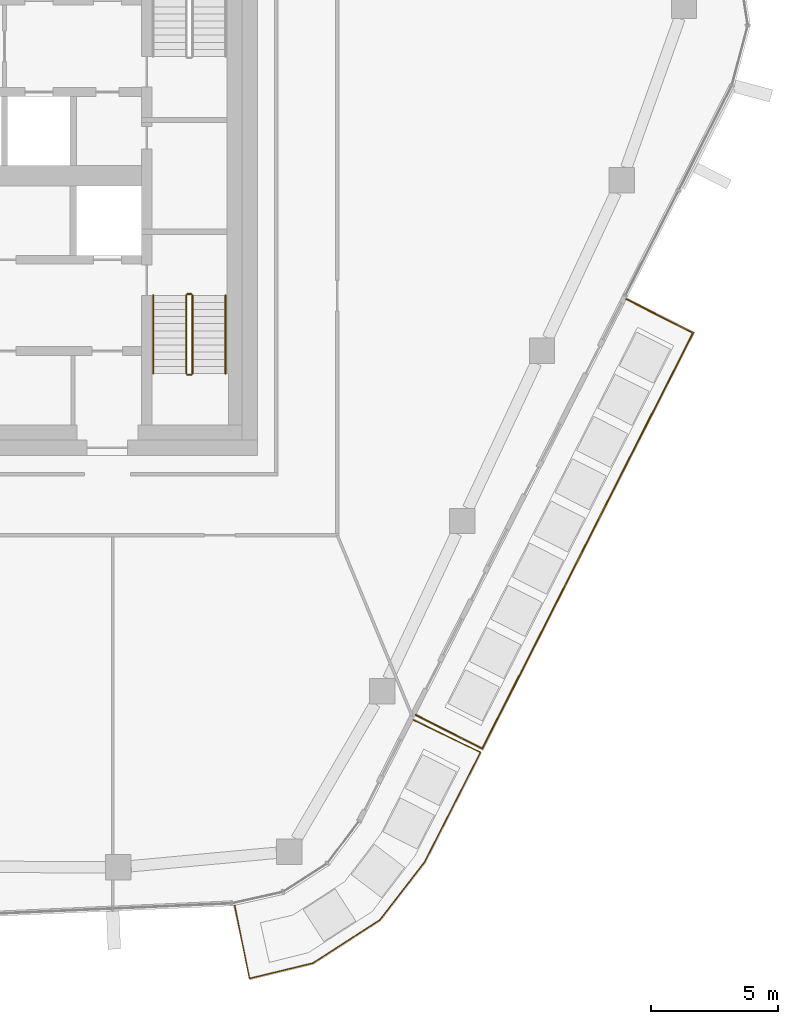
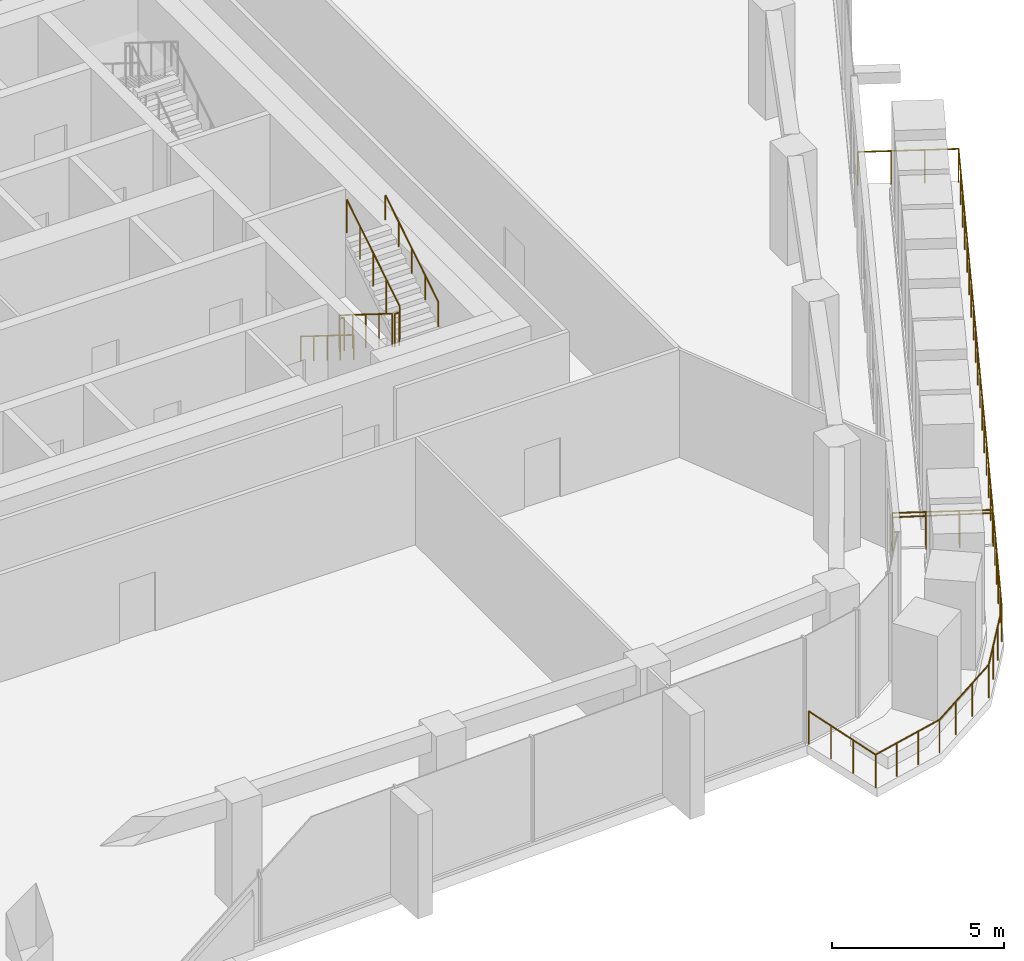
# One storey, part 19 of 23: 8 railings.
"""IFC4 building model written with IfcOpenShell, lengths in metres."""

from ifc_helpers import new_model, si_unit, direction, frame, origin, origin_2d, place, context, subcontext, project, spatial, circle, extrude, material, type_object, element, save


model = new_model("IFC4")

# Units and contexts
model_context = context("Model", 3, precision=1e-05, world=origin(), true_north=direction((0.0, 1.0)))
body_context = subcontext(model_context, "Body", "Model", "MODEL_VIEW")
ifc_project = project(units=[si_unit("LENGTHUNIT", "METRE"), si_unit("AREAUNIT", "SQUARE_METRE"), si_unit("VOLUMEUNIT", "CUBIC_METRE"), si_unit("PLANEANGLEUNIT", "RADIAN"), si_unit("MASSUNIT", "GRAM", prefix="KILO")], contexts=[model_context])

# Site, building, storey
site_placement = place(None, origin())
site = spatial("IfcSite", under=ifc_project, at=site_placement, CompositionType="ELEMENT")
building_placement = place(site_placement, origin())
building = spatial("IfcBuilding", under=site, at=building_placement, Name="Dongbaek Canopy Tower", CompositionType="ELEMENT")
storey_placement = place(building_placement, frame((0.0, 0.0, 323.60009765625)))
storey = spatial("IfcBuildingStorey", under=building, at=storey_placement, Name="L69", CompositionType="ELEMENT", Elevation=323.60009765625)

# Railings
ifc_material_1 = material(Name="Stainless steel", Category="steel")
railing_type_1 = type_object("IfcRailingType", Name="Balcony balustrade 1200", PredefinedType="BALUSTRADE", material=ifc_material_1)
railing_1_placement = place(storey_placement, frame((20.2412109375, -21.222900390625, 0.0)))
element("IfcRailing", 1, at=railing_1_placement, inside=storey, type_object=railing_type_1, Name="Balcony guard L69 4", PredefinedType="BALUSTRADE", context=body_context, shape_type="SweptSolid", body=[
    extrude(circle(Radius=0.02392578125, at=origin_2d()), frame((0.0, 0.0, 1.17578125), z_axis=(0.892056309914, -0.451924263503, 0.0), x_axis=(0.451924263503, 0.892056309914, 0.0)), (0.0, 0.0, 1.0), 2.93994140625),
    extrude(circle(Radius=0.02392578125, at=origin_2d()), frame((2.62255859375, -1.32861328125, 1.17578125), z_axis=(0.451975662434, 0.892030268863, 0.0), x_axis=(-0.892030268863, 0.451975662434, 0.0)), (0.0, 0.0, 1.0), 18.349853515625),
    extrude(circle(Radius=0.02392578125, at=origin_2d()), frame((10.916259765625, 15.0400390625, 1.17578125), z_axis=(-0.892022830295, 0.451990343074, 0.0), x_axis=(-0.451990343074, -0.892022830295, 0.0)), (0.0, 0.0, 1.0), 2.93994140625),
    extrude(circle(Radius=0.02099609375, at=origin_2d()), origin(), (0.0, 0.0, 1.0), 1.15185546875),
    extrude(circle(Radius=0.02099609375, at=origin_2d()), frame((0.874267578125, -0.44287109375, 0.0)), (0.0, 0.0, 1.0), 1.15185546875),
    extrude(circle(Radius=0.02099609375, at=origin_2d()), frame((1.748291015625, -0.8857421875, 0.0)), (0.0, 0.0, 1.0), 1.15185546875),
    extrude(circle(Radius=0.02099609375, at=origin_2d()), frame((2.62255859375, -1.32861328125, 0.0)), (0.0, 0.0, 1.0), 1.15185546875),
    extrude(circle(Radius=0.02099609375, at=origin_2d()), frame((3.140869140625, -0.3056640625, 0.0)), (0.0, 0.0, 1.0), 1.15185546875),
    extrude(circle(Radius=0.02099609375, at=origin_2d()), frame((3.6591796875, 0.717529296875, 0.0)), (0.0, 0.0, 1.0), 1.15185546875),
    extrude(circle(Radius=0.02099609375, at=origin_2d()), frame((4.177734375, 1.740478515625, 0.0)), (0.0, 0.0, 1.0), 1.15185546875),
    extrude(circle(Radius=0.02099609375, at=origin_2d()), frame((4.696044921875, 2.763671875, 0.0)), (0.0, 0.0, 1.0), 1.15185546875),
    extrude(circle(Radius=0.02099609375, at=origin_2d()), frame((5.21435546875, 3.78662109375, 0.0)), (0.0, 0.0, 1.0), 1.15185546875),
    extrude(circle(Radius=0.02099609375, at=origin_2d()), frame((5.732666015625, 4.8095703125, 0.0)), (0.0, 0.0, 1.0), 1.15185546875),
    extrude(circle(Radius=0.02099609375, at=origin_2d()), frame((6.2509765625, 5.832763671875, 0.0)), (0.0, 0.0, 1.0), 1.15185546875),
    extrude(circle(Radius=0.02099609375, at=origin_2d()), frame((6.76953125, 6.855712890625, 0.0)), (0.0, 0.0, 1.0), 1.15185546875),
    extrude(circle(Radius=0.02099609375, at=origin_2d()), frame((7.287841796875, 7.878662109375, 0.0)), (0.0, 0.0, 1.0), 1.15185546875),
    extrude(circle(Radius=0.02099609375, at=origin_2d()), frame((7.80615234375, 8.90185546875, 0.0)), (0.0, 0.0, 1.0), 1.15185546875),
    extrude(circle(Radius=0.02099609375, at=origin_2d()), frame((8.324462890625, 9.9248046875, 0.0)), (0.0, 0.0, 1.0), 1.15185546875),
    extrude(circle(Radius=0.02099609375, at=origin_2d()), frame((8.8427734375, 10.94775390625, 0.0)), (0.0, 0.0, 1.0), 1.15185546875),
    extrude(circle(Radius=0.02099609375, at=origin_2d()), frame((9.361083984375, 11.970947265625, 0.0)), (0.0, 0.0, 1.0), 1.15185546875),
    extrude(circle(Radius=0.02099609375, at=origin_2d()), frame((9.879638671875, 12.993896484375, 0.0)), (0.0, 0.0, 1.0), 1.15185546875),
    extrude(circle(Radius=0.02099609375, at=origin_2d()), frame((10.39794921875, 14.01708984375, 0.0)), (0.0, 0.0, 1.0), 1.15185546875),
    extrude(circle(Radius=0.02099609375, at=origin_2d()), frame((10.916259765625, 15.0400390625, 0.0)), (0.0, 0.0, 1.0), 1.15185546875),
    extrude(circle(Radius=0.02099609375, at=origin_2d()), frame((10.0419921875, 15.48291015625, 0.0)), (0.0, 0.0, 1.0), 1.15185546875),
    extrude(circle(Radius=0.02099609375, at=origin_2d()), frame((9.16796875, 15.926025390625, 0.0)), (0.0, 0.0, 1.0), 1.15185546875),
    extrude(circle(Radius=0.02099609375, at=origin_2d()), frame((8.293701171875, 16.368896484375, 0.0)), (0.0, 0.0, 1.0), 1.15185546875),
])
railing_2_placement = place(storey_placement, frame((13.10986328125, -28.720703125, 0.0)))
element("IfcRailing", 2, at=railing_2_placement, inside=storey, type_object=railing_type_1, Name="Balcony guard L69 7", PredefinedType="BALUSTRADE", context=body_context, shape_type="SweptSolid", body=[
    extrude(circle(Radius=0.02392578125, at=origin_2d()), frame((0.0, 0.0, 1.17578125), z_axis=(0.198175305389, -0.980166592133, 0.0), x_axis=(0.980166592133, 0.198175305389, 0.0)), (0.0, 0.0, 1.0), 2.940673828125),
    extrude(circle(Radius=0.02392578125, at=origin_2d()), frame((0.582763671875, -2.88232421875, 1.17578125), z_axis=(0.971870520155, 0.23551580001, 0.0), x_axis=(-0.23551580001, 0.971870520155, 0.0)), (0.0, 0.0, 1.0), 2.57177734375),
    extrude(circle(Radius=0.02392578125, at=origin_2d()), frame((3.082275390625, -2.276611328125, 1.17578125), z_axis=(0.840464714491, 0.541866278426, 0.0), x_axis=(-0.541866278426, 0.840464714491, 0.0)), (0.0, 0.0, 1.0), 3.13720703125),
    extrude(circle(Radius=0.02392578125, at=origin_2d()), frame((5.718994140625, -0.57666015625, 1.17578125), z_axis=(0.610914271803, 0.791696755398, 0.0), x_axis=(-0.791696755398, 0.610914271803, 0.0)), (0.0, 0.0, 1.0), 2.880615234375),
    extrude(circle(Radius=0.02392578125, at=origin_2d()), frame((7.478759765625, 1.703857421875, 1.17578125), z_axis=(0.454064484216, 0.890968823345, 0.0), x_axis=(-0.890968823345, 0.454064484216, 0.0)), (0.0, 0.0, 1.0), 4.8515625),
    extrude(circle(Radius=0.02392578125, at=origin_2d()), frame((9.681640625, 6.0263671875, 1.17578125), z_axis=(-0.901083385577, 0.433645860395, 0.0), x_axis=(-0.433645860395, -0.901083385577, 0.0)), (0.0, 0.0, 1.0), 2.9404296875),
    extrude(circle(Radius=0.02099609375, at=origin_2d()), origin(), (0.0, 0.0, 1.0), 1.15185546875),
    extrude(circle(Radius=0.02099609375, at=origin_2d()), frame((0.1943359375, -0.960693359375, 0.0)), (0.0, 0.0, 1.0), 1.15185546875),
    extrude(circle(Radius=0.02099609375, at=origin_2d()), frame((0.388427734375, -1.921630859375, 0.0)), (0.0, 0.0, 1.0), 1.15185546875),
    extrude(circle(Radius=0.02099609375, at=origin_2d()), frame((0.582763671875, -2.88232421875, 0.0)), (0.0, 0.0, 1.0), 1.15185546875),
    extrude(circle(Radius=0.02099609375, at=origin_2d()), frame((1.416015625, -2.680419921875, 0.0)), (0.0, 0.0, 1.0), 1.15185546875),
    extrude(circle(Radius=0.02099609375, at=origin_2d()), frame((2.2490234375, -2.478515625, 0.0)), (0.0, 0.0, 1.0), 1.15185546875),
    extrude(circle(Radius=0.02099609375, at=origin_2d()), frame((3.082275390625, -2.276611328125, 0.0)), (0.0, 0.0, 1.0), 1.15185546875),
    extrude(circle(Radius=0.02099609375, at=origin_2d()), frame((3.961181640625, -1.7099609375, 0.0)), (0.0, 0.0, 1.0), 1.15185546875),
    extrude(circle(Radius=0.02099609375, at=origin_2d()), frame((4.840087890625, -1.143310546875, 0.0)), (0.0, 0.0, 1.0), 1.15185546875),
    extrude(circle(Radius=0.02099609375, at=origin_2d()), frame((5.718994140625, -0.57666015625, 0.0)), (0.0, 0.0, 1.0), 1.15185546875),
    extrude(circle(Radius=0.02099609375, at=origin_2d()), frame((6.3056640625, 0.18359375, 0.0)), (0.0, 0.0, 1.0), 1.15185546875),
    extrude(circle(Radius=0.02099609375, at=origin_2d()), frame((6.89208984375, 0.943603515625, 0.0)), (0.0, 0.0, 1.0), 1.15185546875),
    extrude(circle(Radius=0.02099609375, at=origin_2d()), frame((7.478759765625, 1.703857421875, 0.0)), (0.0, 0.0, 1.0), 1.15185546875),
    extrude(circle(Radius=0.02099609375, at=origin_2d()), frame((7.91943359375, 2.568359375, 0.0)), (0.0, 0.0, 1.0), 1.15185546875),
    extrude(circle(Radius=0.02099609375, at=origin_2d()), frame((8.35986328125, 3.432861328125, 0.0)), (0.0, 0.0, 1.0), 1.15185546875),
    extrude(circle(Radius=0.02099609375, at=origin_2d()), frame((8.800537109375, 4.29736328125, 0.0)), (0.0, 0.0, 1.0), 1.15185546875),
    extrude(circle(Radius=0.02099609375, at=origin_2d()), frame((9.240966796875, 5.161865234375, 0.0)), (0.0, 0.0, 1.0), 1.15185546875),
    extrude(circle(Radius=0.02099609375, at=origin_2d()), frame((9.681640625, 6.0263671875, 0.0)), (0.0, 0.0, 1.0), 1.15185546875),
    extrude(circle(Radius=0.02099609375, at=origin_2d()), frame((8.79833984375, 6.451416015625, 0.0)), (0.0, 0.0, 1.0), 1.15185546875),
    extrude(circle(Radius=0.02099609375, at=origin_2d()), frame((7.915283203125, 6.87646484375, 0.0)), (0.0, 0.0, 1.0), 1.15185546875),
    extrude(circle(Radius=0.02099609375, at=origin_2d()), frame((7.031982421875, 7.301513671875, 0.0)), (0.0, 0.0, 1.0), 1.15185546875),
])
ifc_material_2 = material(Name="Stainless steel tube and balusters", Category="steel")
railing_type_2 = type_object("IfcRailingType", Name="Stair guard 1200", PredefinedType="GUARDRAIL", material=ifc_material_2)
railing_3_placement = place(storey_placement, frame((11.199951171875, -4.699951171875, 0.1748046875)))
element("IfcRailing", 3, at=railing_3_placement, inside=storey, type_object=railing_type_2, Name="L69 ST-B stair guard 1", PredefinedType="GUARDRAIL", context=body_context, shape_type="SweptSolid", body=[
    extrude(circle(Radius=0.02392578125, at=origin_2d()), frame((0.0, 0.0, 1.17578125), z_axis=(0.0, -0.847998304005, 0.529998940003), x_axis=(1.0, 0.0, 0.0)), (0.0, 0.0, 1.0), 3.632080078125),
    extrude(circle(Radius=0.02099609375, at=origin_2d()), origin(), (0.0, 0.0, 1.0), 1.15185546875),
    extrude(circle(Radius=0.02099609375, at=origin_2d()), frame((0.0, -0.77001953125, 0.481201171875)), (0.0, 0.0, 1.0), 1.15185546875),
    extrude(circle(Radius=0.02099609375, at=origin_2d()), frame((0.0, -1.5400390625, 0.96240234375)), (0.0, 0.0, 1.0), 1.15185546875),
    extrude(circle(Radius=0.02099609375, at=origin_2d()), frame((0.0, -2.31005859375, 1.44384765625)), (0.0, 0.0, 1.0), 1.15185546875),
    extrude(circle(Radius=0.02099609375, at=origin_2d()), frame((0.0, -3.080078125, 1.925048828125)), (0.0, 0.0, 1.0), 1.15185546875),
])
railing_4_placement = place(storey_placement, frame((11.25, -7.830078125, 2.099853515625)))
element("IfcRailing", 4, at=railing_4_placement, inside=storey, type_object=railing_type_2, Name="L69 ST-B stair guard 2", PredefinedType="GUARDRAIL", context=body_context, shape_type="SweptSolid", body=[
    extrude(circle(Radius=0.02392578125, at=origin_2d()), frame((0.0, 0.0, 1.17578125), z_axis=(1.0, 0.0, 0.0), x_axis=(0.0, 1.0, 0.0)), (0.0, 0.0, 1.0), 0.14990234375),
    extrude(circle(Radius=0.02099609375, at=origin_2d()), origin(), (0.0, 0.0, 1.0), 1.15185546875),
    extrude(circle(Radius=0.02099609375, at=origin_2d()), frame((0.14990234375, 0.0, 0.0)), (0.0, 0.0, 1.0), 1.15185546875),
])
railing_5_placement = place(storey_placement, frame((11.449951171875, -7.780029296875, 2.27490234375)))
element("IfcRailing", 5, at=railing_5_placement, inside=storey, type_object=railing_type_2, Name="L69 ST-B stair guard 3", PredefinedType="GUARDRAIL", context=body_context, shape_type="SweptSolid", body=[
    extrude(circle(Radius=0.02392578125, at=origin_2d()), frame((0.0, 0.0, 1.17578125), z_axis=(0.0, 0.847998304005, 0.529998940003), x_axis=(-1.0, 0.0, 0.0)), (0.0, 0.0, 1.0), 3.632080078125),
    extrude(circle(Radius=0.02099609375, at=origin_2d()), origin(), (0.0, 0.0, 1.0), 1.15185546875),
    extrude(circle(Radius=0.02099609375, at=origin_2d()), frame((0.0, 0.77001953125, 0.481201171875)), (0.0, 0.0, 1.0), 1.15185546875),
    extrude(circle(Radius=0.02099609375, at=origin_2d()), frame((0.0, 1.5400390625, 0.96240234375)), (0.0, 0.0, 1.0), 1.15185546875),
    extrude(circle(Radius=0.02099609375, at=origin_2d()), frame((0.0, 2.31005859375, 1.44384765625)), (0.0, 0.0, 1.0), 1.15185546875),
    extrude(circle(Radius=0.02099609375, at=origin_2d()), frame((0.0, 3.080078125, 1.925048828125)), (0.0, 0.0, 1.0), 1.15185546875),
])
railing_6_placement = place(storey_placement, frame((11.25, -4.64990234375, 0.0)))
element("IfcRailing", 6, at=railing_6_placement, inside=storey, type_object=railing_type_2, Name="L69 ST-B stair guard 4", PredefinedType="GUARDRAIL", context=body_context, shape_type="SweptSolid", body=[
    extrude(circle(Radius=0.02392578125, at=origin_2d()), frame((0.0, 0.0, 1.17578125), z_axis=(1.0, 0.0, 0.0), x_axis=(0.0, 1.0, 0.0)), (0.0, 0.0, 1.0), 0.14990234375),
    extrude(circle(Radius=0.02099609375, at=origin_2d()), origin(), (0.0, 0.0, 1.0), 1.15185546875),
    extrude(circle(Radius=0.02099609375, at=origin_2d()), frame((0.14990234375, 0.0, 0.0)), (0.0, 0.0, 1.0), 1.15185546875),
])
ifc_material_3 = material(Name="Stainless steel tube", Category="steel")
railing_type_3 = type_object("IfcRailingType", Name="Stair handrail 900", PredefinedType="HANDRAIL", material=ifc_material_3)
railing_7_placement = place(storey_placement, frame((9.89990234375, -4.699951171875, 0.1748046875)))
element("IfcRailing", 7, at=railing_7_placement, inside=storey, type_object=railing_type_3, Name="L69 ST-B stair handrail 1", PredefinedType="HANDRAIL", context=body_context, shape_type="SweptSolid", body=[
    extrude(circle(Radius=0.02392578125, at=origin_2d()), frame((0.0, 0.0, 0.8759765625), z_axis=(0.0, -0.847998304005, 0.529998940003), x_axis=(1.0, 0.0, 0.0)), (0.0, 0.0, 1.0), 3.632080078125),
    extrude(circle(Radius=0.02099609375, at=origin_2d()), origin(), (0.0, 0.0, 1.0), 0.851806640625),
    extrude(circle(Radius=0.02099609375, at=origin_2d()), frame((0.0, -0.77001953125, 0.481201171875)), (0.0, 0.0, 1.0), 0.851806640625),
    extrude(circle(Radius=0.02099609375, at=origin_2d()), frame((0.0, -1.5400390625, 0.96240234375)), (0.0, 0.0, 1.0), 0.851806640625),
    extrude(circle(Radius=0.02099609375, at=origin_2d()), frame((0.0, -2.31005859375, 1.44384765625)), (0.0, 0.0, 1.0), 0.851806640625),
    extrude(circle(Radius=0.02099609375, at=origin_2d()), frame((0.0, -3.080078125, 1.925048828125)), (0.0, 0.0, 1.0), 0.851806640625),
])
railing_8_placement = place(storey_placement, frame((12.75, -7.780029296875, 2.27490234375)))
element("IfcRailing", 8, at=railing_8_placement, inside=storey, type_object=railing_type_3, Name="L69 ST-B stair handrail 2", PredefinedType="HANDRAIL", context=body_context, shape_type="SweptSolid", body=[
    extrude(circle(Radius=0.02392578125, at=origin_2d()), frame((0.0, 0.0, 0.8759765625), z_axis=(0.0, 0.847998304005, 0.529998940003), x_axis=(-1.0, 0.0, 0.0)), (0.0, 0.0, 1.0), 3.632080078125),
    extrude(circle(Radius=0.02099609375, at=origin_2d()), origin(), (0.0, 0.0, 1.0), 0.851806640625),
    extrude(circle(Radius=0.02099609375, at=origin_2d()), frame((0.0, 0.77001953125, 0.481201171875)), (0.0, 0.0, 1.0), 0.851806640625),
    extrude(circle(Radius=0.02099609375, at=origin_2d()), frame((0.0, 1.5400390625, 0.96240234375)), (0.0, 0.0, 1.0), 0.851806640625),
    extrude(circle(Radius=0.02099609375, at=origin_2d()), frame((0.0, 2.31005859375, 1.44384765625)), (0.0, 0.0, 1.0), 0.851806640625),
    extrude(circle(Radius=0.02099609375, at=origin_2d()), frame((0.0, 3.080078125, 1.925048828125)), (0.0, 0.0, 1.0), 0.851806640625),
])

save(model, "model.ifc")
